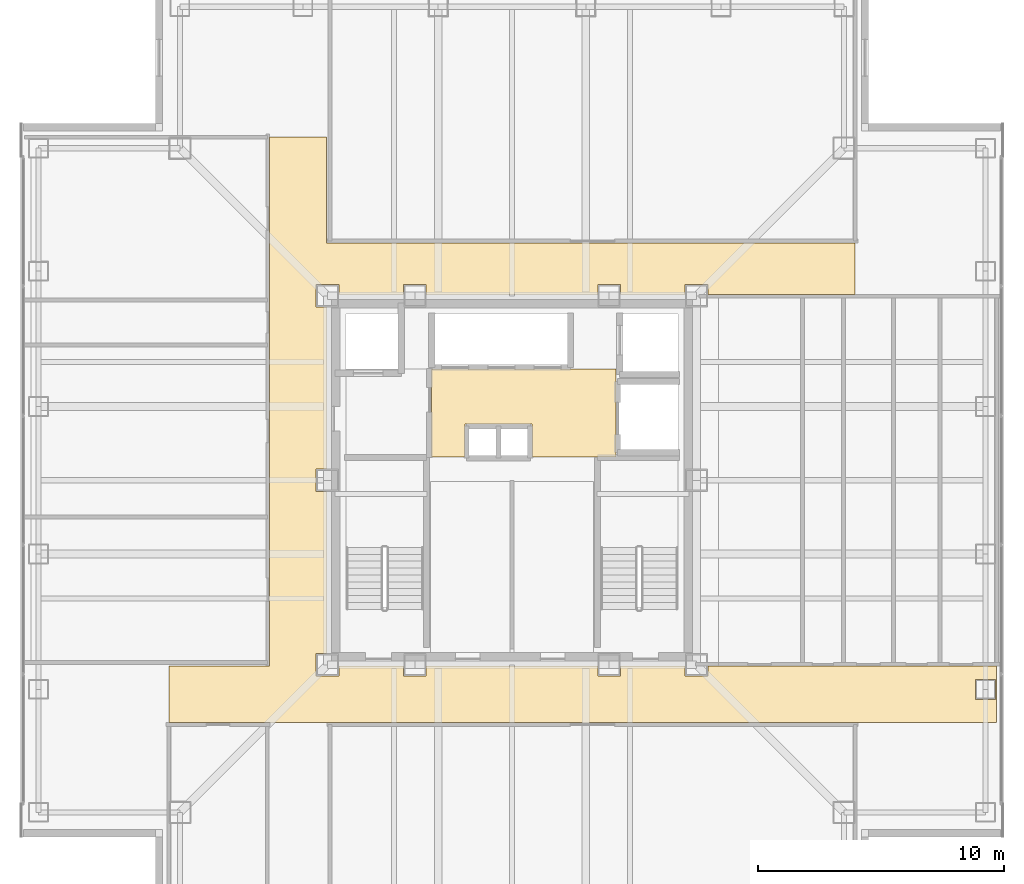
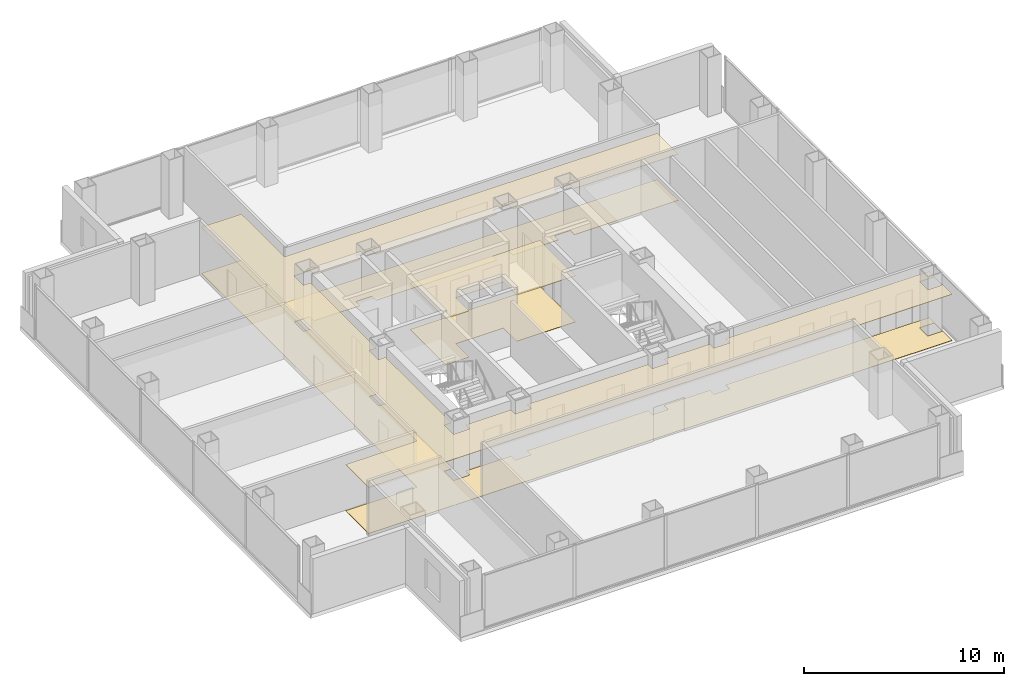
# One storey, part 15 of 17: 4 coverings.
"""IFC4 building model written with IfcOpenShell, lengths in metres."""

from ifc_helpers import new_model, si_unit, direction, frame, origin, place, context, subcontext, project, spatial, polyline, outline, extrude, material, layer, layer_set, type_object, element, save


model = new_model("IFC4")

# Units and contexts
model_context = context("Model", 3, precision=1e-05, world=origin(), true_north=direction((0.0, 1.0)))
body_context = subcontext(model_context, "Body", "Model", "MODEL_VIEW")
ifc_project = project(units=[si_unit("LENGTHUNIT", "METRE"), si_unit("AREAUNIT", "SQUARE_METRE"), si_unit("VOLUMEUNIT", "CUBIC_METRE"), si_unit("PLANEANGLEUNIT", "RADIAN"), si_unit("MASSUNIT", "GRAM", prefix="KILO")], contexts=[model_context])

# Site, building, storey
site_placement = place(None, origin())
site = spatial("IfcSite", under=ifc_project, at=site_placement, CompositionType="ELEMENT")
building_placement = place(site_placement, origin())
building = spatial("IfcBuilding", under=site, at=building_placement, Name="Trevonay Congress Spire", CompositionType="ELEMENT")
storey_placement = place(building_placement, frame((0.0, 0.0, 209.39990234375)))
storey = spatial("IfcBuildingStorey", under=building, at=storey_placement, Name="L54", CompositionType="ELEMENT", Elevation=209.39990234375)

# Coverings
ifc_material_1 = material(Name="Acoustic Mineral Fibre Board", Category="gypsum")
ifc_layer_1 = layer(ifc_material_1, 0.02490234375, Name="Acoustic Mineral Fibre Board")
ifc_layer_set_1 = layer_set([ifc_layer_1], Name="Acoustic Mineral Fibre Board")
covering_type_1 = type_object("IfcCoveringType", Name="COV-CEIL-ACOUSTIC", PredefinedType="CEILING", material=ifc_layer_set_1)
covering_1_placement = place(storey_placement, frame((0.0, 0.0, 2.81005859375)))
element("IfcCovering", 1, at=covering_1_placement, inside=storey, type_object=covering_type_1, Name="L54 Central and High-Rise Passenger Lift Lobby acoustic suspended ceiling", PredefinedType="CEILING", context=body_context, shape_type="SweptSolid", body=[
    extrude(outline(polyline([(-3.280029296875, 0.949951171875), (-1.919921875, 0.949951171875), (-1.919921875, 2.280029296875), (0.820068359375, 2.280029296875), (0.820068359375, 0.949951171875), (4.219970703125, 0.949951171875), (4.219970703125, 4.52001953125), (-3.280029296875, 4.52001953125), (-3.280029296875, 0.949951171875)])), origin(), (0.0, 0.0, 1.0), 0.025146484375),
])
covering_2_placement = place(storey_placement, frame((0.0, 0.0, 2.81005859375)))
element("IfcCovering", 2, at=covering_2_placement, inside=storey, type_object=covering_type_1, Name="L54 Cruciform Boulevard Corridor acoustic suspended ceiling", PredefinedType="CEILING", context=body_context, shape_type="SweptSolid", body=[
    extrude(outline(polyline([(19.699951171875, -7.550048828125), (19.699951171875, -9.85009765625), (-13.949951171875, -9.85009765625), (-13.949951171875, -7.550048828125), (-9.85009765625, -7.550048828125), (-9.85009765625, 13.949951171875), (-7.550048828125, 13.949951171875), (-7.550048828125, 9.64990234375), (13.949951171875, 9.64990234375), (13.949951171875, 7.550048828125), (7.9599609375, 7.550048828125), (7.9599609375, 7.9599609375), (7.0400390625, 7.9599609375), (7.0400390625, 7.550048828125), (4.409912109375, 7.550048828125), (4.409912109375, 7.9599609375), (3.489990234375, 7.9599609375), (3.489990234375, 7.550048828125), (-3.489990234375, 7.550048828125), (-3.489990234375, 7.9599609375), (-4.409912109375, 7.9599609375), (-4.409912109375, 7.550048828125), (-7.0400390625, 7.550048828125), (-7.0400390625, 7.9599609375), (-7.9599609375, 7.9599609375), (-7.9599609375, 7.0400390625), (-7.550048828125, 7.0400390625), (-7.550048828125, 0.4599609375), (-7.9599609375, 0.4599609375), (-7.9599609375, -0.4599609375), (-7.550048828125, -0.4599609375), (-7.550048828125, -7.0400390625), (-7.9599609375, -7.0400390625), (-7.9599609375, -7.9599609375), (-7.0400390625, -7.9599609375), (-7.0400390625, -7.550048828125), (-4.409912109375, -7.550048828125), (-4.409912109375, -7.9599609375), (-3.489990234375, -7.9599609375), (-3.489990234375, -7.550048828125), (3.489990234375, -7.550048828125), (3.489990234375, -7.9599609375), (4.409912109375, -7.9599609375), (4.409912109375, -7.550048828125), (7.0400390625, -7.550048828125), (7.0400390625, -7.9599609375), (7.9599609375, -7.9599609375), (7.9599609375, -7.550048828125), (19.699951171875, -7.550048828125)]), holes=[polyline([(19.659912109375, -8.090087890625), (18.840087890625, -8.090087890625), (18.840087890625, -8.909912109375), (19.659912109375, -8.909912109375), (19.659912109375, -8.090087890625)])]), origin(), (0.0, 0.0, 1.0), 0.025146484375),
])
ifc_material_2 = material(Name="Polished Granite Floor Tile", Category="masonry")
ifc_layer_2 = layer(ifc_material_2, 0.02001953125, Name="Polished Granite Floor Tile")
ifc_layer_set_2 = layer_set([ifc_layer_2], Name="Polished Granite Floor Tile")
covering_type_2 = type_object("IfcCoveringType", Name="COV-FLOOR-STONE", PredefinedType="FLOORING", material=ifc_layer_set_2)
covering_3_placement = place(storey_placement, origin())
element("IfcCovering", 3, at=covering_3_placement, inside=storey, type_object=covering_type_2, Name="L54 Central and High-Rise Passenger Lift Lobby floor finish", PredefinedType="FLOORING", context=body_context, shape_type="SweptSolid", body=[
    extrude(outline(polyline([(-3.280029296875, 0.949951171875), (-1.919921875, 0.949951171875), (-1.919921875, 2.280029296875), (0.820068359375, 2.280029296875), (0.820068359375, 0.949951171875), (4.219970703125, 0.949951171875), (4.219970703125, 4.52001953125), (-3.280029296875, 4.52001953125), (-3.280029296875, 0.949951171875)])), origin(), (0.0, 0.0, 1.0), 0.02001953125),
])
covering_4_placement = place(storey_placement, origin())
element("IfcCovering", 4, at=covering_4_placement, inside=storey, type_object=covering_type_2, Name="L54 Cruciform Boulevard Corridor floor finish", PredefinedType="FLOORING", context=body_context, shape_type="SweptSolid", body=[
    extrude(outline(polyline([(19.699951171875, -7.550048828125), (19.699951171875, -9.85009765625), (-13.949951171875, -9.85009765625), (-13.949951171875, -7.550048828125), (-9.85009765625, -7.550048828125), (-9.85009765625, 13.949951171875), (-7.550048828125, 13.949951171875), (-7.550048828125, 9.64990234375), (13.949951171875, 9.64990234375), (13.949951171875, 7.550048828125), (7.9599609375, 7.550048828125), (7.9599609375, 7.9599609375), (7.0400390625, 7.9599609375), (7.0400390625, 7.550048828125), (4.409912109375, 7.550048828125), (4.409912109375, 7.9599609375), (3.489990234375, 7.9599609375), (3.489990234375, 7.550048828125), (-3.489990234375, 7.550048828125), (-3.489990234375, 7.9599609375), (-4.409912109375, 7.9599609375), (-4.409912109375, 7.550048828125), (-7.0400390625, 7.550048828125), (-7.0400390625, 7.9599609375), (-7.9599609375, 7.9599609375), (-7.9599609375, 7.0400390625), (-7.550048828125, 7.0400390625), (-7.550048828125, 0.4599609375), (-7.9599609375, 0.4599609375), (-7.9599609375, -0.4599609375), (-7.550048828125, -0.4599609375), (-7.550048828125, -7.0400390625), (-7.9599609375, -7.0400390625), (-7.9599609375, -7.9599609375), (-7.0400390625, -7.9599609375), (-7.0400390625, -7.550048828125), (-4.409912109375, -7.550048828125), (-4.409912109375, -7.9599609375), (-3.489990234375, -7.9599609375), (-3.489990234375, -7.550048828125), (3.489990234375, -7.550048828125), (3.489990234375, -7.9599609375), (4.409912109375, -7.9599609375), (4.409912109375, -7.550048828125), (7.0400390625, -7.550048828125), (7.0400390625, -7.9599609375), (7.9599609375, -7.9599609375), (7.9599609375, -7.550048828125), (19.699951171875, -7.550048828125)]), holes=[polyline([(19.659912109375, -8.090087890625), (18.840087890625, -8.090087890625), (18.840087890625, -8.909912109375), (19.659912109375, -8.909912109375), (19.659912109375, -8.090087890625)])]), origin(), (0.0, 0.0, 1.0), 0.02001953125),
])

save(model, "model.ifc")
